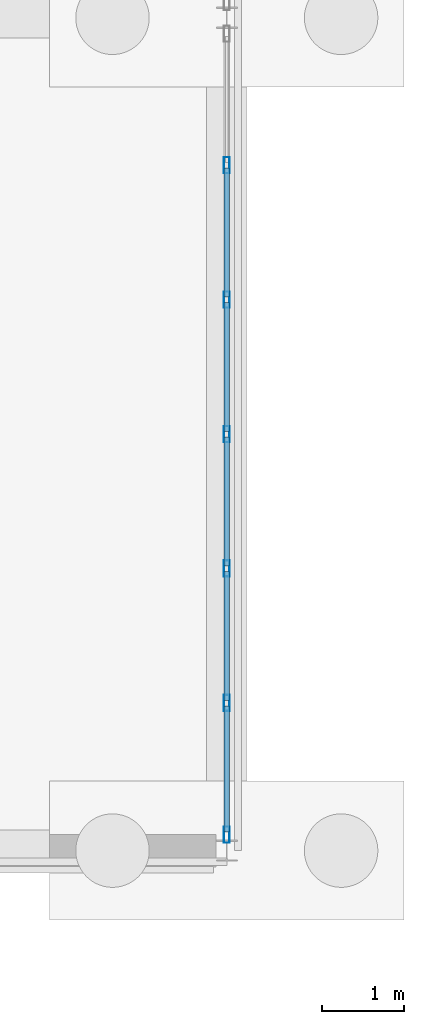
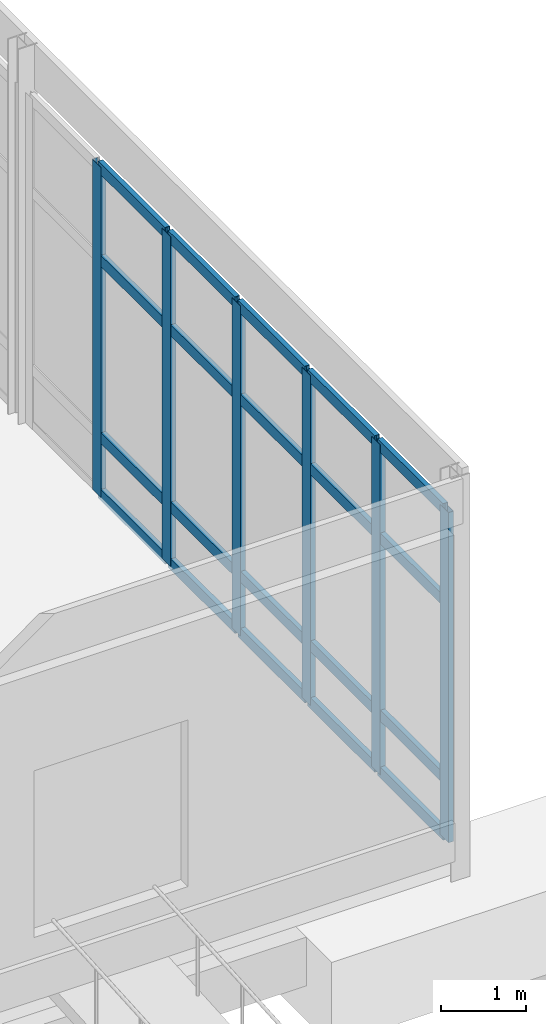
# One storey, part 73 of 137: 26 members, 1 element without a shape of its own.
"""IFC4 building model written with IfcOpenShell, lengths in metres."""

from ifc_helpers import new_model, si_unit, direction, frame, origin, origin_2d, place, context, subcontext, project, spatial, hollow_rectangle, extrude, material, material_profile, profile_set, type_object, element, aggregate, save


model = new_model("IFC4")

# Units and contexts
model_context = context("Model", 3, precision=1e-05, world=origin(), true_north=direction((0.0, 1.0)))
body_context = subcontext(model_context, "Body", "Model", "MODEL_VIEW")
ifc_project = project(units=[si_unit("LENGTHUNIT", "METRE"), si_unit("AREAUNIT", "SQUARE_METRE"), si_unit("VOLUMEUNIT", "CUBIC_METRE"), si_unit("PLANEANGLEUNIT", "RADIAN"), si_unit("MASSUNIT", "GRAM", prefix="KILO")], contexts=[model_context])

# Site, building, storey
site_placement = place(None, origin())
site = spatial("IfcSite", under=ifc_project, at=site_placement, CompositionType="ELEMENT")
building_placement = place(site_placement, origin())
building = spatial("IfcBuilding", under=site, at=building_placement, Name="Vondelvale Polytechnic", CompositionType="ELEMENT")
storey_placement = place(building_placement, origin())
storey = spatial("IfcBuildingStorey", under=building, at=storey_placement, Name="L00", CompositionType="ELEMENT", Elevation=0.0)

# Curtain wall, members
ifc_material = material(Name="Anodised extruded aluminium 6063-T6", Category="aluminium")
curtain_wall_type = type_object("IfcCurtainWallType", Name="CW-REFECTORY", PredefinedType="NOTDEFINED", material=ifc_material)
curtain_wall_placement = place(storey_placement, origin())
curtain_wall = element("IfcCurtainWall", 1, at=curtain_wall_placement, inside=storey, type_object=curtain_wall_type, Name="L00 architectural curtain wall CW-05-385", PredefinedType="NOTDEFINED")
ifc_material_profile_1 = material_profile(ifc_material, hollow_rectangle(XDim=0.070068359375, YDim=0.199951171875, WallThickness=0.00390625, at=origin_2d()), Name="CW-MUL-200x70")
ifc_profile_set_1 = profile_set([ifc_material_profile_1], Name="Anodised extruded aluminium 6063-T6")
member_type_1 = type_object("IfcMemberType", Name="CW-MUL-70x200", PredefinedType="MULLION", material=ifc_profile_set_1)
member_1_placement = place(storey_placement, frame((172.800048828125, 51.195068359375, 0.0), z_axis=(0.0, 0.0, 1.0), x_axis=(-1.0, 0.0, 0.0)))
member_1 = element("IfcMember", 2, at=member_1_placement, type_object=member_type_1, Name="CW-05-385 mullion 1", PredefinedType="MULLION", context=body_context, shape_type="SweptSolid", body=[
    extrude(hollow_rectangle(XDim=0.070068359375, YDim=0.199951171875, WallThickness=0.00390625, at=origin_2d()), origin(), (0.0, 0.0, 1.0), 4.75),
])
member_2_placement = place(storey_placement, frame((172.800048828125, 52.806640625, 0.0), z_axis=(0.0, 0.0, 1.0), x_axis=(-1.0, 0.0, 0.0)))
member_2 = element("IfcMember", 3, at=member_2_placement, type_object=member_type_1, Name="CW-05-385 mullion 2", PredefinedType="MULLION", context=body_context, shape_type="SweptSolid", body=[
    extrude(hollow_rectangle(XDim=0.070068359375, YDim=0.199951171875, WallThickness=0.00390625, at=origin_2d()), origin(), (0.0, 0.0, 1.0), 4.75),
])
member_3_placement = place(storey_placement, frame((172.800048828125, 54.453369140625, 0.0), z_axis=(0.0, 0.0, 1.0), x_axis=(-1.0, 0.0, 0.0)))
member_3 = element("IfcMember", 4, at=member_3_placement, type_object=member_type_1, Name="CW-05-385 mullion 3", PredefinedType="MULLION", context=body_context, shape_type="SweptSolid", body=[
    extrude(hollow_rectangle(XDim=0.070068359375, YDim=0.199951171875, WallThickness=0.00390625, at=origin_2d()), origin(), (0.0, 0.0, 1.0), 4.75),
])
member_4_placement = place(storey_placement, frame((172.800048828125, 56.10009765625, 0.0), z_axis=(0.0, 0.0, 1.0), x_axis=(-1.0, 0.0, 0.0)))
member_4 = element("IfcMember", 5, at=member_4_placement, type_object=member_type_1, Name="CW-05-385 mullion 4", PredefinedType="MULLION", context=body_context, shape_type="SweptSolid", body=[
    extrude(hollow_rectangle(XDim=0.070068359375, YDim=0.199951171875, WallThickness=0.00390625, at=origin_2d()), origin(), (0.0, 0.0, 1.0), 4.75),
])
member_5_placement = place(storey_placement, frame((172.800048828125, 57.74658203125, 0.0), z_axis=(0.0, 0.0, 1.0), x_axis=(-1.0, 0.0, 0.0)))
member_5 = element("IfcMember", 6, at=member_5_placement, type_object=member_type_1, Name="CW-05-385 mullion 5", PredefinedType="MULLION", context=body_context, shape_type="SweptSolid", body=[
    extrude(hollow_rectangle(XDim=0.070068359375, YDim=0.199951171875, WallThickness=0.00390625, at=origin_2d()), origin(), (0.0, 0.0, 1.0), 4.75),
])
member_6_placement = place(storey_placement, frame((172.800048828125, 59.393310546875, 0.0), z_axis=(0.0, 0.0, 1.0), x_axis=(-1.0, 0.0, 0.0)))
member_6 = element("IfcMember", 7, at=member_6_placement, type_object=member_type_1, Name="CW-05-385 mullion 6", PredefinedType="MULLION", context=body_context, shape_type="SweptSolid", body=[
    extrude(hollow_rectangle(XDim=0.070068359375, YDim=0.199951171875, WallThickness=0.00390625, at=origin_2d()), origin(), (0.0, 0.0, 1.0), 4.75),
])
ifc_material_profile_2 = material_profile(ifc_material, hollow_rectangle(XDim=0.06494140625, YDim=0.159912109375, WallThickness=0.00341796875, at=origin_2d()), Name="CW-TRN-160x65")
ifc_profile_set_2 = profile_set([ifc_material_profile_2], Name="Anodised extruded aluminium 6063-T6")
member_type_2 = type_object("IfcMemberType", Name="CW-TRN-70x160", PredefinedType="USERDEFINED", material=ifc_profile_set_2)
member_7_placement = place(storey_placement, frame((172.800048828125, 51.22998046875, 0.032470703125), z_axis=(0.0, 1.0, 0.0), x_axis=(-1.0, 0.0, 0.0)))
member_7 = element("IfcMember", 8, at=member_7_placement, type_object=member_type_2, Name="CW-05-385 transom 1.1", ObjectType="TRANSOM", PredefinedType="USERDEFINED", context=body_context, shape_type="SweptSolid", body=[
    extrude(hollow_rectangle(XDim=0.06494140625, YDim=0.159912109375, WallThickness=0.00341796875, at=origin_2d()), origin(), (0.0, 0.0, 1.0), 1.541748046875),
])
member_8_placement = place(storey_placement, frame((172.800048828125, 51.22998046875, 0.85009765625), z_axis=(0.0, 1.0, 0.0), x_axis=(-1.0, 0.0, 0.0)))
member_8 = element("IfcMember", 9, at=member_8_placement, type_object=member_type_2, Name="CW-05-385 transom 1.2", ObjectType="TRANSOM", PredefinedType="USERDEFINED", context=body_context, shape_type="SweptSolid", body=[
    extrude(hollow_rectangle(XDim=0.06494140625, YDim=0.159912109375, WallThickness=0.00341796875, at=origin_2d()), origin(), (0.0, 0.0, 1.0), 1.541748046875),
])
member_9_placement = place(storey_placement, frame((172.800048828125, 51.22998046875, 3.39990234375), z_axis=(0.0, 1.0, 0.0), x_axis=(-1.0, 0.0, 0.0)))
member_9 = element("IfcMember", 10, at=member_9_placement, type_object=member_type_2, Name="CW-05-385 transom 1.3", ObjectType="TRANSOM", PredefinedType="USERDEFINED", context=body_context, shape_type="SweptSolid", body=[
    extrude(hollow_rectangle(XDim=0.06494140625, YDim=0.159912109375, WallThickness=0.00341796875, at=origin_2d()), origin(), (0.0, 0.0, 1.0), 1.541748046875),
])
member_10_placement = place(storey_placement, frame((172.800048828125, 51.22998046875, 4.717529296875), z_axis=(0.0, 1.0, 0.0), x_axis=(-1.0, 0.0, 0.0)))
member_10 = element("IfcMember", 11, at=member_10_placement, type_object=member_type_2, Name="CW-05-385 transom 1.4", ObjectType="TRANSOM", PredefinedType="USERDEFINED", context=body_context, shape_type="SweptSolid", body=[
    extrude(hollow_rectangle(XDim=0.06494140625, YDim=0.159912109375, WallThickness=0.00341796875, at=origin_2d()), origin(), (0.0, 0.0, 1.0), 1.541748046875),
])
member_11_placement = place(storey_placement, frame((172.800048828125, 52.841552734375, 0.032470703125), z_axis=(0.0, 1.0, 0.0), x_axis=(-1.0, 0.0, 0.0)))
member_11 = element("IfcMember", 12, at=member_11_placement, type_object=member_type_2, Name="CW-05-385 transom 2.1", ObjectType="TRANSOM", PredefinedType="USERDEFINED", context=body_context, shape_type="SweptSolid", body=[
    extrude(hollow_rectangle(XDim=0.06494140625, YDim=0.159912109375, WallThickness=0.00341796875, at=origin_2d()), origin(), (0.0, 0.0, 1.0), 1.57666015625),
])
member_12_placement = place(storey_placement, frame((172.800048828125, 52.841552734375, 0.85009765625), z_axis=(0.0, 1.0, 0.0), x_axis=(-1.0, 0.0, 0.0)))
member_12 = element("IfcMember", 13, at=member_12_placement, type_object=member_type_2, Name="CW-05-385 transom 2.2", ObjectType="TRANSOM", PredefinedType="USERDEFINED", context=body_context, shape_type="SweptSolid", body=[
    extrude(hollow_rectangle(XDim=0.06494140625, YDim=0.159912109375, WallThickness=0.00341796875, at=origin_2d()), origin(), (0.0, 0.0, 1.0), 1.57666015625),
])
member_13_placement = place(storey_placement, frame((172.800048828125, 52.841552734375, 3.39990234375), z_axis=(0.0, 1.0, 0.0), x_axis=(-1.0, 0.0, 0.0)))
member_13 = element("IfcMember", 14, at=member_13_placement, type_object=member_type_2, Name="CW-05-385 transom 2.3", ObjectType="TRANSOM", PredefinedType="USERDEFINED", context=body_context, shape_type="SweptSolid", body=[
    extrude(hollow_rectangle(XDim=0.06494140625, YDim=0.159912109375, WallThickness=0.00341796875, at=origin_2d()), origin(), (0.0, 0.0, 1.0), 1.57666015625),
])
member_14_placement = place(storey_placement, frame((172.800048828125, 52.841552734375, 4.717529296875), z_axis=(0.0, 1.0, 0.0), x_axis=(-1.0, 0.0, 0.0)))
member_14 = element("IfcMember", 15, at=member_14_placement, type_object=member_type_2, Name="CW-05-385 transom 2.4", ObjectType="TRANSOM", PredefinedType="USERDEFINED", context=body_context, shape_type="SweptSolid", body=[
    extrude(hollow_rectangle(XDim=0.06494140625, YDim=0.159912109375, WallThickness=0.00341796875, at=origin_2d()), origin(), (0.0, 0.0, 1.0), 1.57666015625),
])
member_15_placement = place(storey_placement, frame((172.800048828125, 54.48828125, 0.032470703125), z_axis=(0.0, 1.0, 0.0), x_axis=(-1.0, 0.0, 0.0)))
member_15 = element("IfcMember", 16, at=member_15_placement, type_object=member_type_2, Name="CW-05-385 transom 3.1", ObjectType="TRANSOM", PredefinedType="USERDEFINED", context=body_context, shape_type="SweptSolid", body=[
    extrude(hollow_rectangle(XDim=0.06494140625, YDim=0.159912109375, WallThickness=0.00341796875, at=origin_2d()), origin(), (0.0, 0.0, 1.0), 1.57666015625),
])
member_16_placement = place(storey_placement, frame((172.800048828125, 54.48828125, 0.85009765625), z_axis=(0.0, 1.0, 0.0), x_axis=(-1.0, 0.0, 0.0)))
member_16 = element("IfcMember", 17, at=member_16_placement, type_object=member_type_2, Name="CW-05-385 transom 3.2", ObjectType="TRANSOM", PredefinedType="USERDEFINED", context=body_context, shape_type="SweptSolid", body=[
    extrude(hollow_rectangle(XDim=0.06494140625, YDim=0.159912109375, WallThickness=0.00341796875, at=origin_2d()), origin(), (0.0, 0.0, 1.0), 1.57666015625),
])
member_17_placement = place(storey_placement, frame((172.800048828125, 54.48828125, 3.39990234375), z_axis=(0.0, 1.0, 0.0), x_axis=(-1.0, 0.0, 0.0)))
member_17 = element("IfcMember", 18, at=member_17_placement, type_object=member_type_2, Name="CW-05-385 transom 3.3", ObjectType="TRANSOM", PredefinedType="USERDEFINED", context=body_context, shape_type="SweptSolid", body=[
    extrude(hollow_rectangle(XDim=0.06494140625, YDim=0.159912109375, WallThickness=0.00341796875, at=origin_2d()), origin(), (0.0, 0.0, 1.0), 1.57666015625),
])
member_18_placement = place(storey_placement, frame((172.800048828125, 54.48828125, 4.717529296875), z_axis=(0.0, 1.0, 0.0), x_axis=(-1.0, 0.0, 0.0)))
member_18 = element("IfcMember", 19, at=member_18_placement, type_object=member_type_2, Name="CW-05-385 transom 3.4", ObjectType="TRANSOM", PredefinedType="USERDEFINED", context=body_context, shape_type="SweptSolid", body=[
    extrude(hollow_rectangle(XDim=0.06494140625, YDim=0.159912109375, WallThickness=0.00341796875, at=origin_2d()), origin(), (0.0, 0.0, 1.0), 1.57666015625),
])
member_19_placement = place(storey_placement, frame((172.800048828125, 56.135009765625, 0.032470703125), z_axis=(0.0, 1.0, 0.0), x_axis=(-1.0, 0.0, 0.0)))
member_19 = element("IfcMember", 20, at=member_19_placement, type_object=member_type_2, Name="CW-05-385 transom 4.1", ObjectType="TRANSOM", PredefinedType="USERDEFINED", context=body_context, shape_type="SweptSolid", body=[
    extrude(hollow_rectangle(XDim=0.06494140625, YDim=0.159912109375, WallThickness=0.00341796875, at=origin_2d()), origin(), (0.0, 0.0, 1.0), 1.57666015625),
])
member_20_placement = place(storey_placement, frame((172.800048828125, 56.135009765625, 0.85009765625), z_axis=(0.0, 1.0, 0.0), x_axis=(-1.0, 0.0, 0.0)))
member_20 = element("IfcMember", 21, at=member_20_placement, type_object=member_type_2, Name="CW-05-385 transom 4.2", ObjectType="TRANSOM", PredefinedType="USERDEFINED", context=body_context, shape_type="SweptSolid", body=[
    extrude(hollow_rectangle(XDim=0.06494140625, YDim=0.159912109375, WallThickness=0.00341796875, at=origin_2d()), origin(), (0.0, 0.0, 1.0), 1.57666015625),
])
member_21_placement = place(storey_placement, frame((172.800048828125, 56.135009765625, 3.39990234375), z_axis=(0.0, 1.0, 0.0), x_axis=(-1.0, 0.0, 0.0)))
member_21 = element("IfcMember", 22, at=member_21_placement, type_object=member_type_2, Name="CW-05-385 transom 4.3", ObjectType="TRANSOM", PredefinedType="USERDEFINED", context=body_context, shape_type="SweptSolid", body=[
    extrude(hollow_rectangle(XDim=0.06494140625, YDim=0.159912109375, WallThickness=0.00341796875, at=origin_2d()), origin(), (0.0, 0.0, 1.0), 1.57666015625),
])
member_22_placement = place(storey_placement, frame((172.800048828125, 56.135009765625, 4.717529296875), z_axis=(0.0, 1.0, 0.0), x_axis=(-1.0, 0.0, 0.0)))
member_22 = element("IfcMember", 23, at=member_22_placement, type_object=member_type_2, Name="CW-05-385 transom 4.4", ObjectType="TRANSOM", PredefinedType="USERDEFINED", context=body_context, shape_type="SweptSolid", body=[
    extrude(hollow_rectangle(XDim=0.06494140625, YDim=0.159912109375, WallThickness=0.00341796875, at=origin_2d()), origin(), (0.0, 0.0, 1.0), 1.57666015625),
])
member_23_placement = place(storey_placement, frame((172.800048828125, 57.78173828125, 0.032470703125), z_axis=(0.0, 1.0, 0.0), x_axis=(-1.0, 0.0, 0.0)))
member_23 = element("IfcMember", 24, at=member_23_placement, type_object=member_type_2, Name="CW-05-385 transom 5.1", ObjectType="TRANSOM", PredefinedType="USERDEFINED", context=body_context, shape_type="SweptSolid", body=[
    extrude(hollow_rectangle(XDim=0.06494140625, YDim=0.159912109375, WallThickness=0.00341796875, at=origin_2d()), origin(), (0.0, 0.0, 1.0), 1.57666015625),
])
member_24_placement = place(storey_placement, frame((172.800048828125, 57.78173828125, 0.85009765625), z_axis=(0.0, 1.0, 0.0), x_axis=(-1.0, 0.0, 0.0)))
member_24 = element("IfcMember", 25, at=member_24_placement, type_object=member_type_2, Name="CW-05-385 transom 5.2", ObjectType="TRANSOM", PredefinedType="USERDEFINED", context=body_context, shape_type="SweptSolid", body=[
    extrude(hollow_rectangle(XDim=0.06494140625, YDim=0.159912109375, WallThickness=0.00341796875, at=origin_2d()), origin(), (0.0, 0.0, 1.0), 1.57666015625),
])
member_25_placement = place(storey_placement, frame((172.800048828125, 57.78173828125, 3.39990234375), z_axis=(0.0, 1.0, 0.0), x_axis=(-1.0, 0.0, 0.0)))
member_25 = element("IfcMember", 26, at=member_25_placement, type_object=member_type_2, Name="CW-05-385 transom 5.3", ObjectType="TRANSOM", PredefinedType="USERDEFINED", context=body_context, shape_type="SweptSolid", body=[
    extrude(hollow_rectangle(XDim=0.06494140625, YDim=0.159912109375, WallThickness=0.00341796875, at=origin_2d()), origin(), (0.0, 0.0, 1.0), 1.57666015625),
])
member_26_placement = place(storey_placement, frame((172.800048828125, 57.78173828125, 4.717529296875), z_axis=(0.0, 1.0, 0.0), x_axis=(-1.0, 0.0, 0.0)))
member_26 = element("IfcMember", 27, at=member_26_placement, type_object=member_type_2, Name="CW-05-385 transom 5.4", ObjectType="TRANSOM", PredefinedType="USERDEFINED", context=body_context, shape_type="SweptSolid", body=[
    extrude(hollow_rectangle(XDim=0.06494140625, YDim=0.159912109375, WallThickness=0.00341796875, at=origin_2d()), origin(), (0.0, 0.0, 1.0), 1.57666015625),
])
aggregate(curtain_wall, [member_1, member_2, member_3, member_4, member_5, member_6, member_7, member_8, member_9, member_10, member_11, member_12, member_13, member_14, member_15, member_16, member_17, member_18, member_19, member_20, member_21, member_22, member_23, member_24, member_25, member_26])

save(model, "model.ifc")
